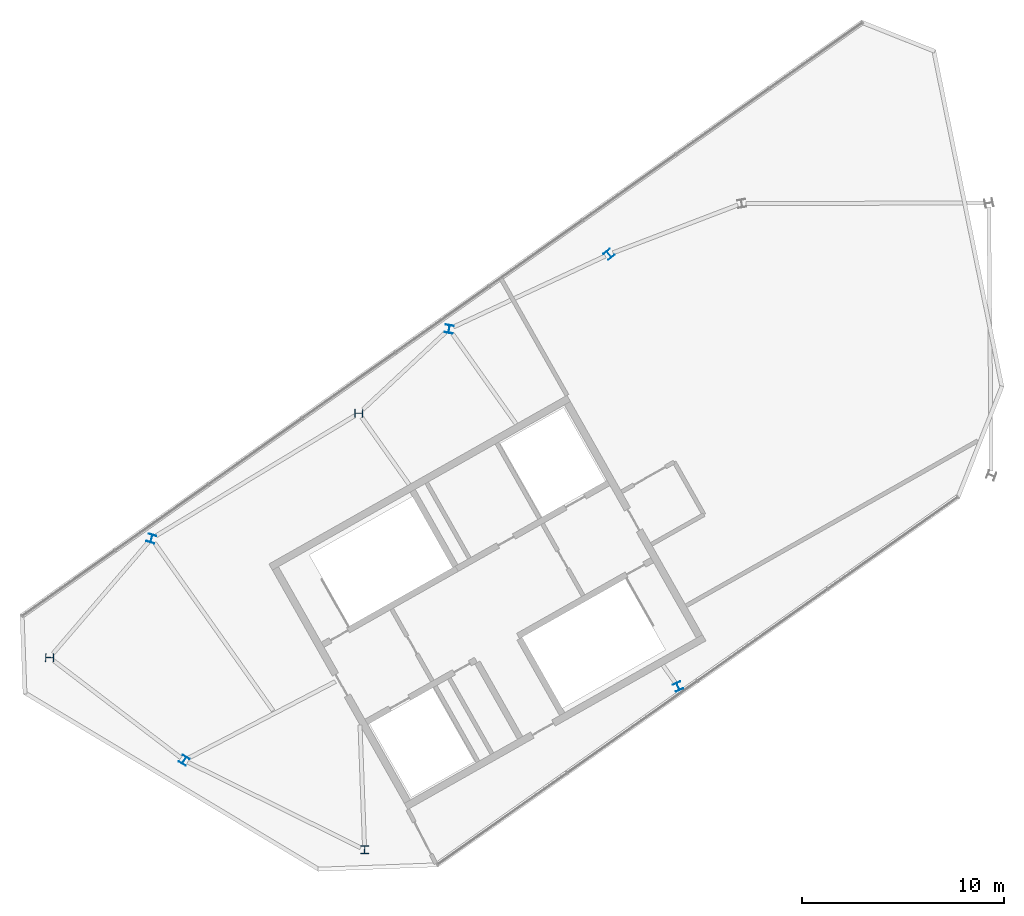
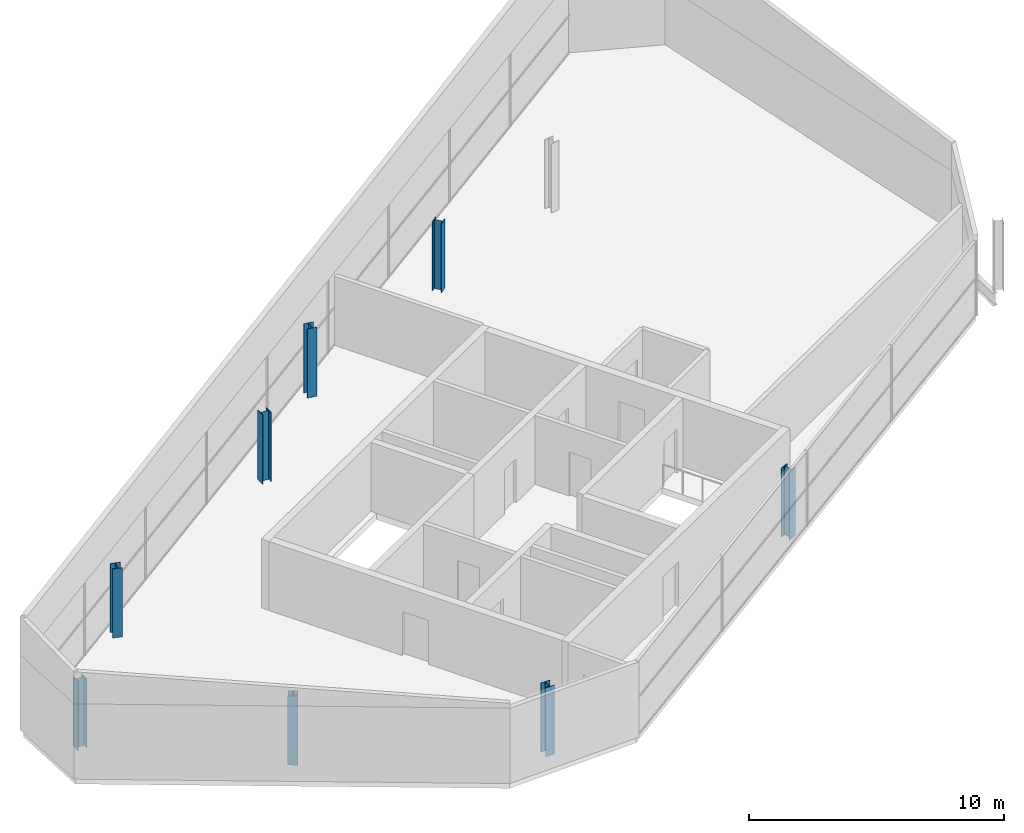
# One storey, part 1 of 10: 8 columns.
"""IFC4 building model written with IfcOpenShell, lengths in metres."""

from ifc_helpers import new_model, si_unit, direction, frame, origin, origin_2d, place, context, subcontext, project, spatial, i_section, extrude, material, material_profile, profile_set, type_object, element, save


model = new_model("IFC4")

# Units and contexts
model_context = context("Model", 3, precision=1e-05, world=origin(), true_north=direction((0.0, 1.0)))
body_context = subcontext(model_context, "Body", "Model", "MODEL_VIEW")
ifc_project = project(units=[si_unit("LENGTHUNIT", "METRE"), si_unit("AREAUNIT", "SQUARE_METRE"), si_unit("VOLUMEUNIT", "CUBIC_METRE"), si_unit("PLANEANGLEUNIT", "RADIAN"), si_unit("MASSUNIT", "GRAM", prefix="KILO")], contexts=[model_context])

# Site, building, storey
site_placement = place(None, origin())
site = spatial("IfcSite", under=ifc_project, at=site_placement, CompositionType="ELEMENT")
building_placement = place(site_placement, origin())
building = spatial("IfcBuilding", under=site, at=building_placement, Name="Binnacle Exchange Tower", CompositionType="ELEMENT")
storey_placement = place(building_placement, frame((0.0, 0.0, 368.5)))
storey = spatial("IfcBuildingStorey", under=building, at=storey_placement, Name="L85", CompositionType="ELEMENT", Elevation=368.5)

# Columns
ifc_material = material(Name="Steel S355 (SHN355)", Category="steel")
ifc_material_profile = material_profile(ifc_material, i_section(OverallWidth=0.39990234375, OverallDepth=0.39990234375, WebThickness=0.012939453125, FlangeThickness=0.02099609375, FilletRadius=0.02197265625, at=origin_2d()), Name="H 400x400x13x21")
ifc_profile_set = profile_set([ifc_material_profile], Name="Steel S355 (SHN355)")
column_type = type_object("IfcColumnType", Name="H 400x400x13x21", PredefinedType="COLUMN", material=ifc_profile_set)
for number, where, z_axis, x_axis, name in (
    (1, (-57.492919921875, 37.02734375, 0.0), (0.0, 0.0, 1.0), (-0.013089595571, -0.999914327574, 0.0), "S:COL:MC02:L85"),
    (2, (-50.81201171875, 31.930908203125, 0.0), (0.0, 0.0, 1.0), (0.857167300702, -0.51503807491, 0.0), "S:COL:MC01:L85"),
    (3, (-41.857666015625, 27.494873046875, 0.0), (0.0, 0.0, 1.0), (0.999914327574, -0.013089595571, 0.0), "S:COL:MC03:L85"),
    (4, (-42.144287109375, 49.15283203125, 0.0), (0.0, 0.0, 1.0), (0.017539659542, 0.999846168339, 0.0), "S:COL:MC10:L85"),
    (5, (-29.729248046875, 57.04150390625, 0.0), (0.0, 0.0, 1.0), (-0.772556293173, -0.634946276372, 0.0), "S:COL:MC19:L85"),
    (6, (-37.6640625, 53.333740234375, 0.0), (0.0, 0.0, 1.0), (-0.987457934314, 0.157882323139, 0.0), "S:COL:MC12:L85"),
    (7, (-52.434814453125, 42.936279296875, 0.0), (0.0, 0.0, 1.0), (-0.959170945813, 0.282826973092, 0.0), "S:COL:MC05:L85"),
    (8, (-26.30517578125, 35.59130859375, 0.0), (0.0, 0.0, 1.0), (0.910705289655, 0.413056745973, 0.0), "S:COL:MC09:L85"),
):
    element("IfcColumn", number, at=place(storey_placement, frame(where, z_axis=z_axis, x_axis=x_axis)), inside=storey, type_object=column_type, Name=name, PredefinedType="COLUMN", context=body_context, shape_type="SweptSolid", body=[
        extrude(i_section(OverallWidth=0.39990234375, OverallDepth=0.39990234375, WebThickness=0.012939453125, FlangeThickness=0.02099609375, FilletRadius=0.02197265625, at=origin_2d()), origin(), (0.0, 0.0, 1.0), 3.300048828125),
    ])

save(model, "model.ifc")
